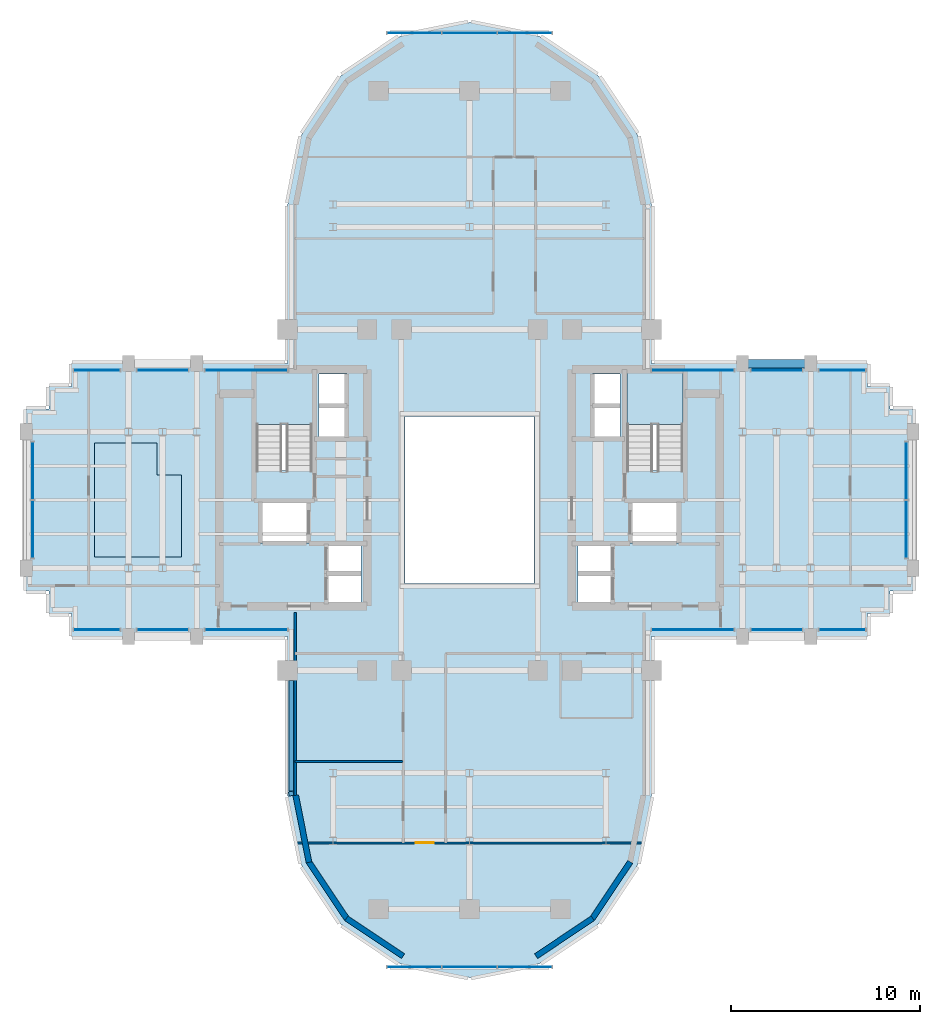
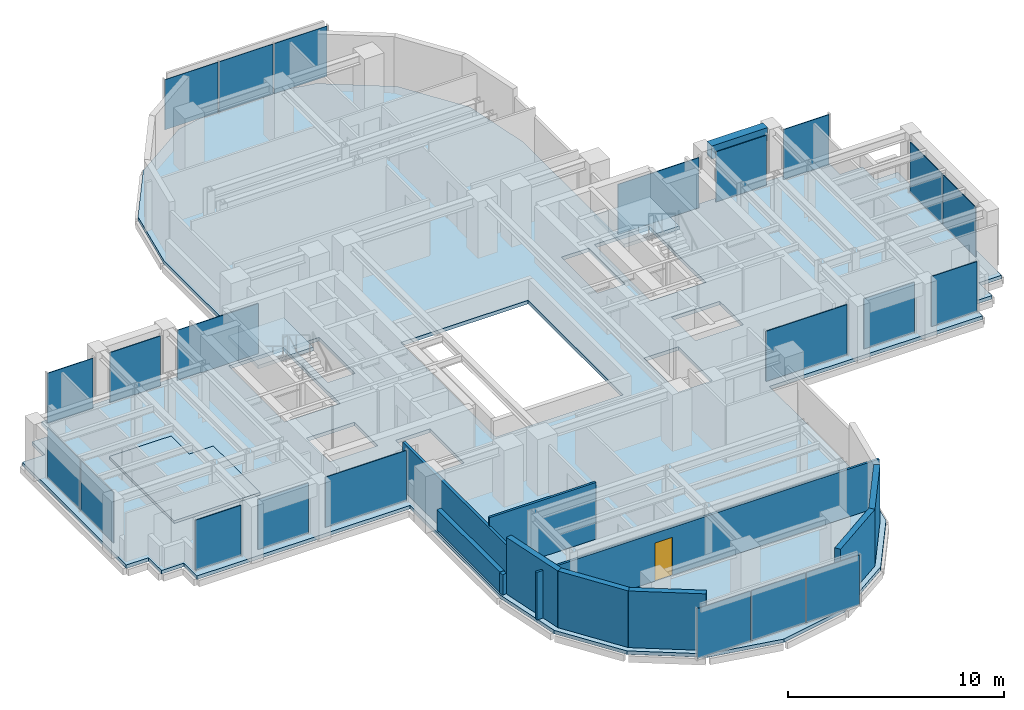
# One storey, part 7 of 14: 22 plates, 10 walls, 4 slabs, 1 beam, 1 door, 1 opening, 18 elements without a shape of their own.
"""IFC4 building model written with IfcOpenShell, lengths in metres."""

import ifcopenshell
import ifcopenshell.guid

model = None  # the IFC model being written
_history = None  # IfcOwnerHistory: only IFC2X3 demands one
_inside = {}  # id of a spatial element -> (the spatial element, [elements in it])
_under = {}  # id of a project, library or spatial element -> (it, [spatial elements below it])
_declared = {}  # id of a project -> (the project, [libraries it declares])
_typed = {}  # id of a type object -> (the type object, [elements of that type])
_made_of = {}  # id of a material, layer set ... -> (it, [elements and type objects made of it])


def new_model(schema):
    """Start an empty IFC model of exactly this schema.

    Asked for "IFC4X3", IfcOpenShell would pick the latest addendum, in which some entities
    have other attributes; the version numbers below select the first issue.
    IFC2X3 requires an IfcOwnerHistory on every rooted entity: one is made here for all.
    """
    global model, _history
    if schema == "IFC4X3":
        model = ifcopenshell.file(schema_version=(4, 3, 0, 0))
    else:
        model = ifcopenshell.file(schema=schema)
    _inside.clear()
    _under.clear()
    _declared.clear()
    _typed.clear()
    _made_of.clear()
    _history = None
    if model.schema == "IFC2X3":
        org = make("IfcOrganization", Name="unknown")
        user = make(
            "IfcPersonAndOrganization",
            ThePerson=make("IfcPerson", FamilyName="unknown"),
            TheOrganization=org,
        )
        app = make(
            "IfcApplication",
            ApplicationDeveloper=org,
            Version="unknown",
            ApplicationFullName="unknown",
            ApplicationIdentifier="unknown",
        )
        _history = make(
            "IfcOwnerHistory",
            OwningUser=user,
            OwningApplication=app,
            ChangeAction="ADDED",
            CreationDate=0,
        )
    return model


def make(cls, **values):
    """One entity of the class cls with the attributes given. An attribute that is None is left unset."""
    return model.create_entity(
        cls, **{name: value for name, value in values.items() if value is not None}
    )


def rooted(cls, **values):
    """An entity with a GlobalId (a new one), such as an element, a storey or a relation."""
    return make(cls, GlobalId=ifcopenshell.guid.new(), OwnerHistory=_history, **values)


def si_unit(unit_type, name, prefix=None):
    """IfcSIUnit, for example si_unit("LENGTHUNIT", "METRE", prefix="MILLI")."""
    return make("IfcSIUnit", UnitType=unit_type, Prefix=prefix, Name=name)


def assignment(units):
    """IfcUnitAssignment: the units of a project."""
    return None if units is None else make("IfcUnitAssignment", Units=units)


def point(xyz):
    """IfcCartesianPoint."""
    return None if xyz is None else make("IfcCartesianPoint", Coordinates=xyz)


def direction(xyz):
    """IfcDirection."""
    return None if xyz is None else make("IfcDirection", DirectionRatios=xyz)


def frame(location, z_axis=None, x_axis=None):
    """IfcAxis2Placement3D, a coordinate frame: its origin and axes. An axis left out is left unset."""
    return make(
        "IfcAxis2Placement3D",
        Location=point(location),
        Axis=direction(z_axis),
        RefDirection=direction(x_axis),
    )


def frame_2d(location, x_axis=None):
    """IfcAxis2Placement2D, a coordinate frame in the plane: its origin and x axis."""
    return make(
        "IfcAxis2Placement2D", Location=point(location), RefDirection=direction(x_axis)
    )


def origin():
    """The frame at (0, 0, 0) with its axes left unset."""
    return frame((0.0, 0.0, 0.0))


def origin_2d():
    """The frame at (0, 0) in the plane with its x axis left unset."""
    return frame_2d((0.0, 0.0))


def place(relative_to, where):
    """IfcLocalPlacement: puts the frame where relative to a parent placement (None: the world)."""
    return make(
        "IfcLocalPlacement", PlacementRelTo=relative_to, RelativePlacement=where
    )


def context(
    kind, dimensions, precision=None, world=None, true_north=None, identifier=None
):
    """IfcGeometricRepresentationContext, for example the 3D "Model" context."""
    return make(
        "IfcGeometricRepresentationContext",
        ContextIdentifier=identifier,
        ContextType=kind,
        CoordinateSpaceDimension=dimensions,
        Precision=precision,
        WorldCoordinateSystem=world,
        TrueNorth=true_north,
    )


def subcontext(parent, identifier, kind, view, scale=None):
    """IfcGeometricRepresentationSubContext, for example "Body" below "Model"."""
    return make(
        "IfcGeometricRepresentationSubContext",
        ContextIdentifier=identifier,
        ContextType=kind,
        ParentContext=parent,
        TargetScale=scale,
        TargetView=view,
    )


def project(units=None, contexts=None):
    """IfcProject with its units and contexts."""
    return rooted(
        "IfcProject",
        Name="project",
        RepresentationContexts=contexts,
        UnitsInContext=assignment(units),
    )


def spatial(cls, under=None, at=None, **own):
    """A site, building, storey or space (cls), placed at a placement, below another one or the project."""
    s = rooted(cls, ObjectPlacement=at, **own)
    if under is not None:
        _under.setdefault(under.id(), (under, []))[1].append(s)
    return s


def polyline(points):
    """IfcPolyline through the points."""
    return make("IfcPolyline", Points=[point(p) for p in points])


def profile(cls, at=None, kind="AREA", **sizes):
    """A parametric profile (cls). Its sizes go by their IFC names, for example OverallWidth=200.0."""
    return make(cls, ProfileType=kind, Position=at, **sizes)


def rectangle(**sizes):
    """IfcRectangleProfileDef."""
    return profile("IfcRectangleProfileDef", **sizes)


def outline(outer, holes=None, kind="AREA"):
    """IfcArbitraryClosedProfileDef: a profile drawn as a closed curve; with holes, ...WithVoids."""
    if holes is None:
        return make("IfcArbitraryClosedProfileDef", ProfileType=kind, OuterCurve=outer)
    return make(
        "IfcArbitraryProfileDefWithVoids",
        ProfileType=kind,
        OuterCurve=outer,
        InnerCurves=holes,
    )


def extrude(swept, where, along, depth):
    """IfcExtrudedAreaSolid: the profile swept, set in the frame where, extruded along a direction by depth."""
    return make(
        "IfcExtrudedAreaSolid",
        SweptArea=swept,
        Position=where,
        ExtrudedDirection=direction(along),
        Depth=depth,
    )


def shape(context_of_items, identifier, shape_type, items):
    """IfcShapeRepresentation: the items that make up one representation, for example the "Body"."""
    return make(
        "IfcShapeRepresentation",
        ContextOfItems=context_of_items,
        RepresentationIdentifier=identifier,
        RepresentationType=shape_type,
        Items=items,
    )


def source(mapping_origin, context_of_items, identifier, shape_type, items):
    """IfcRepresentationMap: a shape defined once, which mapped items show again and again."""
    return make(
        "IfcRepresentationMap",
        MappingOrigin=mapping_origin,
        MappedRepresentation=shape(context_of_items, identifier, shape_type, items),
    )


def transform(
    local_origin,
    x_axis=None,
    y_axis=None,
    z_axis=None,
    scale=None,
    scale2=None,
    scale3=None,
    uniform=True,
):
    """IfcCartesianTransformationOperator3D, or its non-uniform kind. x_axis, y_axis, z_axis: its Axis1, 2, 3."""
    if uniform:
        return make(
            "IfcCartesianTransformationOperator3D",
            Axis1=direction(x_axis),
            Axis2=direction(y_axis),
            LocalOrigin=point(local_origin),
            Scale=scale,
            Axis3=direction(z_axis),
        )
    return make(
        "IfcCartesianTransformationOperator3DnonUniform",
        Axis1=direction(x_axis),
        Axis2=direction(y_axis),
        LocalOrigin=point(local_origin),
        Scale=scale,
        Axis3=direction(z_axis),
        Scale2=scale2,
        Scale3=scale3,
    )


def mapped(mapping_source, mapping_target):
    """IfcMappedItem: shows the shape of a source again, moved by a transform."""
    return make(
        "IfcMappedItem", MappingSource=mapping_source, MappingTarget=mapping_target
    )


def material(Name=None, Category=None):
    """IfcMaterial."""
    return make("IfcMaterial", Name=Name, Category=Category)


def layer(
    of_material, thickness, ventilated=None, Name=None, Category=None, Priority=None
):
    """IfcMaterialLayer: one layer of a wall or slab, of a material (None: an air gap)."""
    return make(
        "IfcMaterialLayer",
        Material=of_material,
        LayerThickness=thickness,
        IsVentilated=ventilated,
        Name=Name,
        Category=Category,
        Priority=Priority,
    )


def layer_set(layers, Name=None):
    """IfcMaterialLayerSet."""
    return make("IfcMaterialLayerSet", MaterialLayers=layers, LayerSetName=Name)


def material_profile(
    of_material, cross_section, Name=None, Category=None, Priority=None
):
    """IfcMaterialProfile: a cross section and its material."""
    return make(
        "IfcMaterialProfile",
        Name=Name,
        Material=of_material,
        Profile=cross_section,
        Priority=Priority,
        Category=Category,
    )


def profile_set(profiles, Name=None, composite=None):
    """IfcMaterialProfileSet."""
    return make(
        "IfcMaterialProfileSet",
        Name=Name,
        MaterialProfiles=profiles,
        CompositeProfile=composite,
    )


def made_of(thing, what):
    """Note that an element or type object is made of a material, layer set ...; save() writes the relation."""
    if what is not None:
        _made_of.setdefault(what.id(), (what, []))[1].append(thing)
    return thing


def type_object(cls, material=None, **own):
    """A type object (cls), such as IfcWallType, which elements share."""
    return made_of(rooted(cls, **own), material)


def element(
    cls,
    number,
    at=None,
    inside=None,
    cuts=None,
    type_object=None,
    material=None,
    context=None,
    identifier="Body",
    shape_type=None,
    held_by="IfcProductDefinitionShape",
    body=None,
    shapes=None,
    **own,
):
    """One element of the class cls, such as IfcWall. Its Tag is "e" and its number.

    at: its placement. inside: the storey or other place that contains it. cuts: it is an
    opening in that element (IfcRelVoidsElement). A single representation is given by context,
    identifier, shape_type and body (its items); several are given by shapes. held_by: the class
    of the entity that holds the representations. save() writes the other relations.
    """
    e = rooted(cls, Tag="e%d" % number, ObjectPlacement=at, **own)
    if body is not None:
        shapes = [shape(context, identifier, shape_type, body)]
    if shapes is not None:
        e.Representation = make(held_by, Representations=shapes)
    if inside is not None:
        _inside.setdefault(inside.id(), (inside, []))[1].append(e)
    if cuts is not None:
        rooted(
            "IfcRelVoidsElement", RelatingBuildingElement=cuts, RelatedOpeningElement=e
        )
    if type_object is not None:
        _typed.setdefault(type_object.id(), (type_object, []))[1].append(e)
    return made_of(e, material)


def fill(opening, filler):
    """IfcRelFillsElement: the door or window that sits in an opening."""
    return rooted(
        "IfcRelFillsElement",
        RelatingOpeningElement=opening,
        RelatedBuildingElement=filler,
    )


def aggregate(whole, parts):
    """IfcRelAggregates: a whole, such as a stair, and the parts it consists of."""
    return rooted("IfcRelAggregates", RelatingObject=whole, RelatedObjects=parts)


def save(model, path):
    """Write the relations noted so far, then the file.

    IfcRelAggregates (storeys below a building ...), IfcRelContainedInSpatialStructure (elements
    in a storey), IfcRelDefinesByType, IfcRelAssociatesMaterial and IfcRelDeclares: one each for
    every whole, place, type object, material and project.
    """
    for whole, parts in _under.values():
        aggregate(whole, parts)
    for where, things in _inside.values():
        rooted(
            "IfcRelContainedInSpatialStructure",
            RelatedElements=things,
            RelatingStructure=where,
        )
    for kind, things in _typed.values():
        rooted("IfcRelDefinesByType", RelatedObjects=things, RelatingType=kind)
    for what, things in _made_of.values():
        rooted("IfcRelAssociatesMaterial", RelatedObjects=things, RelatingMaterial=what)
    for by, libraries in _declared.values():
        rooted("IfcRelDeclares", RelatingContext=by, RelatedDefinitions=libraries)
    model.write(path)


model = new_model("IFC4")

# Units and contexts
model_context = context("Model", 3, precision=1e-05, world=origin(), true_north=direction((0.0, 1.0)))
body_context = subcontext(model_context, "Body", "Model", "MODEL_VIEW")
ifc_project = project(units=[si_unit("LENGTHUNIT", "METRE"), si_unit("AREAUNIT", "SQUARE_METRE"), si_unit("VOLUMEUNIT", "CUBIC_METRE"), si_unit("PLANEANGLEUNIT", "RADIAN"), si_unit("MASSUNIT", "GRAM", prefix="KILO")], contexts=[model_context])

# Site, building, storey
site_placement = place(None, origin())
site = spatial("IfcSite", under=ifc_project, at=site_placement, CompositionType="ELEMENT")
building_placement = place(site_placement, origin())
building = spatial("IfcBuilding", under=site, at=building_placement, Name="Keilestroom Media Tower", CompositionType="ELEMENT")
storey_placement = place(building_placement, frame((0.0, 0.0, 110.800048828125)))
storey = spatial("IfcBuildingStorey", under=building, at=storey_placement, Name="L29", CompositionType="ELEMENT", Elevation=110.800048828125)

# Beam
ifc_material_1 = material(Name="Precast concrete C40/50", Category="concrete")
ifc_material_profile = material_profile(ifc_material_1, rectangle(XDim=0.449951171875, YDim=0.75, at=origin_2d()), Name="PC 450x750")
ifc_profile_set = profile_set([ifc_material_profile], Name="Precast concrete C40/50")
beam_type = type_object("IfcBeamType", Name="Perimeter-Spandrel-Beam-PC-450x750", PredefinedType="SPANDREL", material=ifc_profile_set)
shared_shape_1 = source(origin(), body_context, "Body", "SweptSolid", [
    extrude(rectangle(XDim=0.449951171875, YDim=0.75, at=origin_2d()), origin(), (0.0, 0.0, 1.0), 2.989990234375),
])
beam_placement = place(storey_placement, frame((14.705078125, 7.199951171875, 2.824951171875), z_axis=(1.0, 0.0, 0.0), x_axis=(0.0, 1.0, 0.0)))
element("IfcBeam", 1, at=beam_placement, inside=storey, type_object=beam_type, Name="L29 Beam SPB-1 BM-L29-EW-027", PredefinedType="SPANDREL", context=body_context, shape_type="MappedRepresentation", body=[
    mapped(shared_shape_1, transform((0.0, 0.0, 0.0), x_axis=(1.0, 0.0, 0.0), y_axis=(0.0, 1.0, 0.0), z_axis=(0.0, 0.0, 1.0), scale=1.0)),
])

# Slabs
ifc_material_2 = material(Name="Concrete C50/60", Category="concrete")
ifc_layer_1 = layer(ifc_material_2, 0.199951171875)
ifc_layer_set_1 = layer_set([ifc_layer_1], Name="Concrete C50/60")
slab_type_1 = type_object("IfcSlabType", Name="Composite-Floor-Slab-200", PredefinedType="FLOOR", material=ifc_layer_set_1)
slab_1_placement = place(storey_placement, frame((0.0, 0.0, -0.199951171875)))
element("IfcSlab", 2, at=slab_1_placement, inside=storey, type_object=slab_type_1, Name="L29 Structural Composite Floor Slab", PredefinedType="FLOOR", context=body_context, shape_type="SweptSolid", body=[
    extrude(outline(polyline([(23.39990234375, -4.800048828125), (23.39990234375, 4.800048828125), (22.199951171875, 4.800048828125), (22.199951171875, 6.0), (21.0, 6.0), (21.0, 7.199951171875), (9.60009765625, 7.199951171875), (9.60009765625, 9.60009765625), (9.60009765625, 15.60009765625), (8.869140625, 19.273681640625), (6.7880859375, 22.38818359375), (3.673828125, 24.46923828125), (0.0, 25.199951171875), (-3.673828125, 24.46923828125), (-6.7880859375, 22.38818359375), (-8.869140625, 19.273681640625), (-9.60009765625, 15.60009765625), (-9.60009765625, 9.60009765625), (-9.60009765625, 7.199951171875), (-21.0, 7.199951171875), (-21.0, 6.0), (-22.199951171875, 6.0), (-22.199951171875, 4.800048828125), (-23.39990234375, 4.800048828125), (-23.39990234375, -4.800048828125), (-22.199951171875, -4.800048828125), (-22.199951171875, -6.0), (-21.0, -6.0), (-21.0, -7.199951171875), (-9.60009765625, -7.199951171875), (-9.60009765625, -9.60009765625), (-9.60009765625, -15.60009765625), (-8.869140625, -19.273681640625), (-6.7880859375, -22.38818359375), (-3.673828125, -24.46923828125), (0.0, -25.199951171875), (3.673828125, -24.46923828125), (6.7880859375, -22.38818359375), (8.869140625, -19.273681640625), (9.60009765625, -15.60009765625), (9.60009765625, -9.60009765625), (9.60009765625, -7.199951171875), (21.0, -7.199951171875), (21.0, -6.0), (22.199951171875, -6.0), (22.199951171875, -4.800048828125), (23.39990234375, -4.800048828125)]), holes=[polyline([(-11.260009765625, 1.544921875), (-11.260009765625, 6.760009765625), (-8.300048828125, 6.760009765625), (-8.300048828125, 1.544921875), (-11.260009765625, 1.544921875)]), polyline([(-11.050048828125, -2.280029296875), (-11.050048828125, -0.10009765625), (-8.47998046875, -0.10009765625), (-8.47998046875, -2.280029296875), (-11.050048828125, -2.280029296875)]), polyline([(-7.949951171875, 3.300048828125), (-7.949951171875, 6.64990234375), (-6.47998046875, 6.64990234375), (-6.47998046875, 3.300048828125), (-7.949951171875, 3.300048828125)]), polyline([(-7.56005859375, -2.320068359375), (-5.719970703125, -2.320068359375), (-5.719970703125, -5.47998046875), (-7.56005859375, -5.47998046875), (-7.56005859375, -2.320068359375)]), polyline([(3.39990234375, -4.39990234375), (-3.39990234375, -4.39990234375), (-3.39990234375, 4.39990234375), (3.39990234375, 4.39990234375), (3.39990234375, -4.39990234375)]), polyline([(7.56005859375, -2.320068359375), (7.56005859375, -5.47998046875), (5.719970703125, -5.47998046875), (5.719970703125, -2.320068359375), (7.56005859375, -2.320068359375)]), polyline([(6.47998046875, 3.300048828125), (6.47998046875, 6.64990234375), (7.949951171875, 6.64990234375), (7.949951171875, 3.300048828125), (6.47998046875, 3.300048828125)]), polyline([(8.300048828125, 1.544921875), (8.300048828125, 6.760009765625), (11.260009765625, 6.760009765625), (11.260009765625, 1.544921875), (8.300048828125, 1.544921875)]), polyline([(8.47998046875, -2.280029296875), (8.47998046875, -0.10009765625), (11.050048828125, -0.10009765625), (11.050048828125, -2.280029296875), (8.47998046875, -2.280029296875)])]), origin(), (0.0, 0.0, 1.0), 0.199951171875),
])
ifc_material_3 = material(Name="Concrete C45/55", Category="concrete")
ifc_layer_2 = layer(ifc_material_3, 0.14990234375)
ifc_layer_set_2 = layer_set([ifc_layer_2], Name="Concrete C45/55")
slab_type_2 = type_object("IfcSlabType", Name="Floating-Studio-Floor-Slab-150", PredefinedType="FLOOR", material=ifc_layer_set_2)
slab_2_placement = place(storey_placement, origin())
element("IfcSlab", 3, at=slab_2_placement, inside=storey, type_object=slab_type_2, Name="L29 Acoustic Floating Studio Slab ST-INT-Z2", PredefinedType="FLOOR", context=body_context, shape_type="SweptSolid", body=[
    extrude(outline(polyline([(-19.800048828125, -3.0), (-15.199951171875, -3.0), (-15.199951171875, 1.320068359375), (-16.488037109375, 1.320068359375), (-16.488037109375, 3.0), (-19.800048828125, 3.0), (-19.800048828125, -3.0)])), origin(), (0.0, 0.0, 1.0), 0.14990234375),
])

# Stair, slab
stair_type = type_object("IfcStairType", Name="Enclosed-Dog-Leg-Stair-ST-CORE", PredefinedType="HALF_TURN_STAIR", material=ifc_material_3)
stair_1_placement = place(storey_placement, origin())
stair_1 = element("IfcStair", 4, at=stair_1_placement, inside=storey, type_object=stair_type, Name="L29 West Core Escape Stair ST-1", PredefinedType="HALF_TURN_STAIR")
ifc_layer_3 = layer(ifc_material_3, 0.199951171875)
ifc_layer_set_3 = layer_set([ifc_layer_3], Name="Concrete C45/55")
slab_type_3 = type_object("IfcSlabType", Name="Stair-Intermediate-And-Top-Landing-Slab-200", PredefinedType="LANDING", material=ifc_layer_set_3)
slab_3_placement = place(storey_placement, frame((0.0, 0.0, 1.5)))
slab_3 = element("IfcSlab", 5, at=slab_3_placement, type_object=slab_type_3, Name="ST-1 landing 1", PredefinedType="LANDING", context=body_context, shape_type="SweptSolid", body=[
    extrude(outline(polyline([(-8.300048828125, 3.99609375), (-8.300048828125, 6.760009765625), (-11.260009765625, 6.760009765625), (-11.260009765625, 3.99609375), (-8.300048828125, 3.99609375)])), origin(), (0.0, 0.0, 1.0), 0.199951171875),
])
aggregate(stair_1, [slab_3])

stair_2_placement = place(storey_placement, origin())
stair_2 = element("IfcStair", 6, at=stair_2_placement, inside=storey, type_object=stair_type, Name="L29 East Core Escape Stair ST-2", PredefinedType="HALF_TURN_STAIR")
slab_4_placement = place(storey_placement, frame((0.0, 0.0, 1.5)))
slab_4 = element("IfcSlab", 7, at=slab_4_placement, type_object=slab_type_3, Name="ST-2 landing 1", PredefinedType="LANDING", context=body_context, shape_type="SweptSolid", body=[
    extrude(outline(polyline([(11.260009765625, 3.99609375), (11.260009765625, 6.760009765625), (8.300048828125, 6.760009765625), (8.300048828125, 3.99609375), (11.260009765625, 3.99609375)])), origin(), (0.0, 0.0, 1.0), 0.199951171875),
])
aggregate(stair_2, [slab_4])

# Curtain wall, plates
ifc_material_4 = material(Name="Anodised Aluminium Alloy", Category="aluminium")
curtain_wall_type_1 = type_object("IfcCurtainWallType", Name="Unitised-Curtain-Wall-CW-6", PredefinedType="NOTDEFINED", material=ifc_material_4)
curtain_wall_1_placement = place(storey_placement, origin())
curtain_wall_1 = element("IfcCurtainWall", 8, at=curtain_wall_1_placement, inside=storey, type_object=curtain_wall_type_1, Name="L29 Curtain Wall CW-6 CW-L29-LN-1", PredefinedType="NOTDEFINED")
ifc_material_5 = material(Name="Curved-Facet Triple Glazed Unit", Category="glass")
ifc_layer_4 = layer(ifc_material_5, 0.033935546875)
ifc_layer_set_4 = layer_set([ifc_layer_4], Name="Curved-Facet Triple Glazed Unit")
plate_type_1 = type_object("IfcPlateType", Name="Insulated-Curtain-Wall-Glazing-Panel-CW-6", PredefinedType="CURTAIN_PANEL", material=ifc_layer_set_4)
shared_shape_2 = source(origin(), body_context, "Body", "SweptSolid", [
    extrude(rectangle(XDim=2.84375, YDim=0.033935546875, at=origin_2d()), origin(), (0.0, 0.0, 1.0), 2.833984375),
])
plate_1_placement = place(storey_placement, frame((-2.9169921875, 24.64990234375, 0.072998046875), z_axis=(0.0, 0.0, 1.0), x_axis=(1.0, 0.0, 0.0)))
plate_1 = element("IfcPlate", 9, at=plate_1_placement, type_object=plate_type_1, Name="CW-6 Unitised Glazing 00", PredefinedType="CURTAIN_PANEL", context=body_context, shape_type="MappedRepresentation", body=[
    mapped(shared_shape_2, transform((0.0, 0.0, 0.0), x_axis=(1.0, 0.0, 0.0), y_axis=(0.0, 1.0, 0.0), z_axis=(0.0, 0.0, 1.0), scale=1.0)),
])
plate_2_placement = place(storey_placement, frame((2.9169921875, 24.64990234375, 0.072998046875), z_axis=(0.0, 0.0, 1.0), x_axis=(1.0, 0.0, 0.0)))
plate_2 = element("IfcPlate", 10, at=plate_2_placement, type_object=plate_type_1, Name="CW-6 Unitised Glazing 02", PredefinedType="CURTAIN_PANEL", context=body_context, shape_type="MappedRepresentation", body=[
    mapped(shared_shape_2, transform((0.0, 0.0, 0.0), x_axis=(1.0, 0.0, 0.0), y_axis=(0.0, 1.0, 0.0), z_axis=(0.0, 0.0, 1.0), scale=1.0)),
])

curtain_wall_2_placement = place(storey_placement, origin())
curtain_wall_2 = element("IfcCurtainWall", 11, at=curtain_wall_2_placement, inside=storey, type_object=curtain_wall_type_1, Name="L29 Curtain Wall CW-6 CW-L29-LS-1", PredefinedType="NOTDEFINED")
plate_3_placement = place(storey_placement, frame((-2.9169921875, -24.64990234375, 0.072998046875), z_axis=(0.0, 0.0, 1.0), x_axis=(1.0, 0.0, 0.0)))
plate_3 = element("IfcPlate", 12, at=plate_3_placement, type_object=plate_type_1, Name="CW-6 Unitised Glazing 00", PredefinedType="CURTAIN_PANEL", context=body_context, shape_type="MappedRepresentation", body=[
    mapped(shared_shape_2, transform((0.0, 0.0, 0.0), x_axis=(1.0, 0.0, 0.0), y_axis=(0.0, 1.0, 0.0), z_axis=(0.0, 0.0, 1.0), scale=1.0)),
])
plate_4_placement = place(storey_placement, frame((2.9169921875, -24.64990234375, 0.072998046875), z_axis=(0.0, 0.0, 1.0), x_axis=(1.0, 0.0, 0.0)))
plate_4 = element("IfcPlate", 13, at=plate_4_placement, type_object=plate_type_1, Name="CW-6 Unitised Glazing 02", PredefinedType="CURTAIN_PANEL", context=body_context, shape_type="MappedRepresentation", body=[
    mapped(shared_shape_2, transform((0.0, 0.0, 0.0), x_axis=(1.0, 0.0, 0.0), y_axis=(0.0, 1.0, 0.0), z_axis=(0.0, 0.0, 1.0), scale=1.0)),
])

# Plate
shared_shape_3 = source(origin(), body_context, "Body", "SweptSolid", [
    extrude(rectangle(XDim=2.876220703125, YDim=0.033935546875, at=origin_2d()), origin(), (0.0, 0.0, 1.0), 2.833984375),
])
plate_5_placement = place(storey_placement, frame((0.0, 24.64990234375, 0.072998046875), z_axis=(0.0, 0.0, 1.0), x_axis=(1.0, 0.0, 0.0)))
plate_5 = element("IfcPlate", 14, at=plate_5_placement, type_object=plate_type_1, Name="CW-6 Unitised Glazing 01", PredefinedType="CURTAIN_PANEL", context=body_context, shape_type="MappedRepresentation", body=[
    mapped(shared_shape_3, transform((0.0, 0.0, 0.0), x_axis=(1.0, 0.0, 0.0), y_axis=(0.0, 1.0, 0.0), z_axis=(0.0, 0.0, 1.0), scale=1.0)),
])

aggregate(curtain_wall_1, [plate_1, plate_5, plate_2])

plate_6_placement = place(storey_placement, frame((0.0, -24.64990234375, 0.072998046875), z_axis=(0.0, 0.0, 1.0), x_axis=(1.0, 0.0, 0.0)))
plate_6 = element("IfcPlate", 15, at=plate_6_placement, type_object=plate_type_1, Name="CW-6 Unitised Glazing 01", PredefinedType="CURTAIN_PANEL", context=body_context, shape_type="MappedRepresentation", body=[
    mapped(shared_shape_3, transform((0.0, 0.0, 0.0), x_axis=(1.0, 0.0, 0.0), y_axis=(0.0, 1.0, 0.0), z_axis=(0.0, 0.0, 1.0), scale=1.0)),
])

aggregate(curtain_wall_2, [plate_3, plate_6, plate_4])

# Curtain wall, plate
curtain_wall_type_2 = type_object("IfcCurtainWallType", Name="Unitised-Curtain-Wall-CW-2", PredefinedType="NOTDEFINED", material=ifc_material_4)
curtain_wall_3_placement = place(storey_placement, origin())
curtain_wall_3 = element("IfcCurtainWall", 16, at=curtain_wall_3_placement, inside=storey, type_object=curtain_wall_type_2, Name="L29 Curtain Wall CW-2 CW-L29-NW-1", PredefinedType="NOTDEFINED")
ifc_material_6 = material(Name="Double Glazed Low-E Unit", Category="glass")
ifc_layer_5 = layer(ifc_material_6, 0.0419921875)
ifc_layer_set_5 = layer_set([ifc_layer_5], Name="Double Glazed Low-E Unit")
plate_type_2 = type_object("IfcPlateType", Name="Insulated-Curtain-Wall-Glazing-Panel-CW-2", PredefinedType="CURTAIN_PANEL", material=ifc_layer_set_5)
shared_shape_4 = source(origin(), body_context, "Body", "SweptSolid", [
    extrude(rectangle(XDim=2.43310546875, YDim=0.0419921875, at=origin_2d()), origin(), (0.0, 0.0, 1.0), 2.833984375),
])
plate_7_placement = place(storey_placement, frame((-19.66748046875, 6.85009765625, 0.072998046875), z_axis=(0.0, 0.0, 1.0), x_axis=(1.0, 0.0, 0.0)))
plate_7 = element("IfcPlate", 17, at=plate_7_placement, type_object=plate_type_2, Name="CW-2 Unitised Glazing 00", PredefinedType="CURTAIN_PANEL", context=body_context, shape_type="MappedRepresentation", body=[
    mapped(shared_shape_4, transform((0.0, 0.0, 0.0), x_axis=(1.0, 0.0, 0.0), y_axis=(0.0, 1.0, 0.0), z_axis=(0.0, 0.0, 1.0), scale=1.0)),
])
aggregate(curtain_wall_3, [plate_7])

curtain_wall_4_placement = place(storey_placement, origin())
curtain_wall_4 = element("IfcCurtainWall", 18, at=curtain_wall_4_placement, inside=storey, type_object=curtain_wall_type_2, Name="L29 Curtain Wall CW-2 CW-L29-NE-3", PredefinedType="NOTDEFINED")
plate_8_placement = place(storey_placement, frame((19.66748046875, 6.85009765625, 0.072998046875), z_axis=(0.0, 0.0, 1.0), x_axis=(1.0, 0.0, 0.0)))
plate_8 = element("IfcPlate", 19, at=plate_8_placement, type_object=plate_type_2, Name="CW-2 Unitised Glazing 00", PredefinedType="CURTAIN_PANEL", context=body_context, shape_type="MappedRepresentation", body=[
    mapped(shared_shape_4, transform((0.0, 0.0, 0.0), x_axis=(1.0, 0.0, 0.0), y_axis=(0.0, 1.0, 0.0), z_axis=(0.0, 0.0, 1.0), scale=1.0)),
])
aggregate(curtain_wall_4, [plate_8])

curtain_wall_5_placement = place(storey_placement, origin())
curtain_wall_5 = element("IfcCurtainWall", 20, at=curtain_wall_5_placement, inside=storey, type_object=curtain_wall_type_2, Name="L29 Curtain Wall CW-2 CW-L29-SW-1", PredefinedType="NOTDEFINED")
plate_9_placement = place(storey_placement, frame((-19.66748046875, -6.85009765625, 0.072998046875), z_axis=(0.0, 0.0, 1.0), x_axis=(1.0, 0.0, 0.0)))
plate_9 = element("IfcPlate", 21, at=plate_9_placement, type_object=plate_type_2, Name="CW-2 Unitised Glazing 00", PredefinedType="CURTAIN_PANEL", context=body_context, shape_type="MappedRepresentation", body=[
    mapped(shared_shape_4, transform((0.0, 0.0, 0.0), x_axis=(1.0, 0.0, 0.0), y_axis=(0.0, 1.0, 0.0), z_axis=(0.0, 0.0, 1.0), scale=1.0)),
])
aggregate(curtain_wall_5, [plate_9])

curtain_wall_6_placement = place(storey_placement, origin())
curtain_wall_6 = element("IfcCurtainWall", 22, at=curtain_wall_6_placement, inside=storey, type_object=curtain_wall_type_2, Name="L29 Curtain Wall CW-2 CW-L29-SE-3", PredefinedType="NOTDEFINED")
plate_10_placement = place(storey_placement, frame((19.66748046875, -6.85009765625, 0.072998046875), z_axis=(0.0, 0.0, 1.0), x_axis=(1.0, 0.0, 0.0)))
plate_10 = element("IfcPlate", 23, at=plate_10_placement, type_object=plate_type_2, Name="CW-2 Unitised Glazing 00", PredefinedType="CURTAIN_PANEL", context=body_context, shape_type="MappedRepresentation", body=[
    mapped(shared_shape_4, transform((0.0, 0.0, 0.0), x_axis=(1.0, 0.0, 0.0), y_axis=(0.0, 1.0, 0.0), z_axis=(0.0, 0.0, 1.0), scale=1.0)),
])
aggregate(curtain_wall_6, [plate_10])

curtain_wall_7_placement = place(storey_placement, origin())
curtain_wall_7 = element("IfcCurtainWall", 24, at=curtain_wall_7_placement, inside=storey, type_object=curtain_wall_type_2, Name="L29 Curtain Wall CW-2 CW-L29-NW-2", PredefinedType="NOTDEFINED")
shared_shape_5 = source(origin(), body_context, "Body", "SweptSolid", [
    extrude(rectangle(XDim=2.697998046875, YDim=0.0419921875, at=origin_2d()), origin(), (0.0, 0.0, 1.0), 2.833984375),
])
plate_11_placement = place(storey_placement, frame((-16.199951171875, 6.85009765625, 0.072998046875), z_axis=(0.0, 0.0, 1.0), x_axis=(1.0, 0.0, 0.0)))
plate_11 = element("IfcPlate", 25, at=plate_11_placement, type_object=plate_type_2, Name="CW-2 Unitised Glazing 00", PredefinedType="CURTAIN_PANEL", context=body_context, shape_type="MappedRepresentation", body=[
    mapped(shared_shape_5, transform((0.0, 0.0, 0.0), x_axis=(1.0, 0.0, 0.0), y_axis=(0.0, 1.0, 0.0), z_axis=(0.0, 0.0, 1.0), scale=1.0)),
])
aggregate(curtain_wall_7, [plate_11])

curtain_wall_8_placement = place(storey_placement, origin())
curtain_wall_8 = element("IfcCurtainWall", 26, at=curtain_wall_8_placement, inside=storey, type_object=curtain_wall_type_2, Name="L29 Curtain Wall CW-2 CW-L29-NE-2", PredefinedType="NOTDEFINED")
plate_12_placement = place(storey_placement, frame((16.199951171875, 6.85009765625, 0.072998046875), z_axis=(0.0, 0.0, 1.0), x_axis=(1.0, 0.0, 0.0)))
plate_12 = element("IfcPlate", 27, at=plate_12_placement, type_object=plate_type_2, Name="CW-2 Unitised Glazing 00", PredefinedType="CURTAIN_PANEL", context=body_context, shape_type="MappedRepresentation", body=[
    mapped(shared_shape_5, transform((0.0, 0.0, 0.0), x_axis=(1.0, 0.0, 0.0), y_axis=(0.0, 1.0, 0.0), z_axis=(0.0, 0.0, 1.0), scale=1.0)),
])
aggregate(curtain_wall_8, [plate_12])

curtain_wall_9_placement = place(storey_placement, origin())
curtain_wall_9 = element("IfcCurtainWall", 28, at=curtain_wall_9_placement, inside=storey, type_object=curtain_wall_type_2, Name="L29 Curtain Wall CW-2 CW-L29-SW-2", PredefinedType="NOTDEFINED")
plate_13_placement = place(storey_placement, frame((-16.199951171875, -6.85009765625, 0.072998046875), z_axis=(0.0, 0.0, 1.0), x_axis=(1.0, 0.0, 0.0)))
plate_13 = element("IfcPlate", 29, at=plate_13_placement, type_object=plate_type_2, Name="CW-2 Unitised Glazing 00", PredefinedType="CURTAIN_PANEL", context=body_context, shape_type="MappedRepresentation", body=[
    mapped(shared_shape_5, transform((0.0, 0.0, 0.0), x_axis=(1.0, 0.0, 0.0), y_axis=(0.0, 1.0, 0.0), z_axis=(0.0, 0.0, 1.0), scale=1.0)),
])
aggregate(curtain_wall_9, [plate_13])

curtain_wall_10_placement = place(storey_placement, origin())
curtain_wall_10 = element("IfcCurtainWall", 30, at=curtain_wall_10_placement, inside=storey, type_object=curtain_wall_type_2, Name="L29 Curtain Wall CW-2 CW-L29-SE-2", PredefinedType="NOTDEFINED")
plate_14_placement = place(storey_placement, frame((16.199951171875, -6.85009765625, 0.072998046875), z_axis=(0.0, 0.0, 1.0), x_axis=(1.0, 0.0, 0.0)))
plate_14 = element("IfcPlate", 31, at=plate_14_placement, type_object=plate_type_2, Name="CW-2 Unitised Glazing 00", PredefinedType="CURTAIN_PANEL", context=body_context, shape_type="MappedRepresentation", body=[
    mapped(shared_shape_5, transform((0.0, 0.0, 0.0), x_axis=(1.0, 0.0, 0.0), y_axis=(0.0, 1.0, 0.0), z_axis=(0.0, 0.0, 1.0), scale=1.0)),
])
aggregate(curtain_wall_10, [plate_14])

curtain_wall_11_placement = place(storey_placement, origin())
curtain_wall_11 = element("IfcCurtainWall", 32, at=curtain_wall_11_placement, inside=storey, type_object=curtain_wall_type_2, Name="L29 Curtain Wall CW-2 CW-L29-NW-3", PredefinedType="NOTDEFINED")
shared_shape_6 = source(origin(), body_context, "Body", "SweptSolid", [
    extrude(rectangle(XDim=4.3330078125, YDim=0.0419921875, at=origin_2d()), origin(), (0.0, 0.0, 1.0), 2.833984375),
])
plate_15_placement = place(storey_placement, frame((-11.782470703125, 6.85009765625, 0.072998046875), z_axis=(0.0, 0.0, 1.0), x_axis=(1.0, 0.0, 0.0)))
plate_15 = element("IfcPlate", 33, at=plate_15_placement, type_object=plate_type_2, Name="CW-2 Unitised Glazing 00", PredefinedType="CURTAIN_PANEL", context=body_context, shape_type="MappedRepresentation", body=[
    mapped(shared_shape_6, transform((0.0, 0.0, 0.0), x_axis=(1.0, 0.0, 0.0), y_axis=(0.0, 1.0, 0.0), z_axis=(0.0, 0.0, 1.0), scale=1.0)),
])
aggregate(curtain_wall_11, [plate_15])

curtain_wall_12_placement = place(storey_placement, origin())
curtain_wall_12 = element("IfcCurtainWall", 34, at=curtain_wall_12_placement, inside=storey, type_object=curtain_wall_type_2, Name="L29 Curtain Wall CW-2 CW-L29-NE-1", PredefinedType="NOTDEFINED")
plate_16_placement = place(storey_placement, frame((11.782470703125, 6.85009765625, 0.072998046875), z_axis=(0.0, 0.0, 1.0), x_axis=(1.0, 0.0, 0.0)))
plate_16 = element("IfcPlate", 35, at=plate_16_placement, type_object=plate_type_2, Name="CW-2 Unitised Glazing 00", PredefinedType="CURTAIN_PANEL", context=body_context, shape_type="MappedRepresentation", body=[
    mapped(shared_shape_6, transform((0.0, 0.0, 0.0), x_axis=(1.0, 0.0, 0.0), y_axis=(0.0, 1.0, 0.0), z_axis=(0.0, 0.0, 1.0), scale=1.0)),
])
aggregate(curtain_wall_12, [plate_16])

curtain_wall_13_placement = place(storey_placement, origin())
curtain_wall_13 = element("IfcCurtainWall", 36, at=curtain_wall_13_placement, inside=storey, type_object=curtain_wall_type_2, Name="L29 Curtain Wall CW-2 CW-L29-SW-3", PredefinedType="NOTDEFINED")
plate_17_placement = place(storey_placement, frame((-11.782470703125, -6.85009765625, 0.072998046875), z_axis=(0.0, 0.0, 1.0), x_axis=(1.0, 0.0, 0.0)))
plate_17 = element("IfcPlate", 37, at=plate_17_placement, type_object=plate_type_2, Name="CW-2 Unitised Glazing 00", PredefinedType="CURTAIN_PANEL", context=body_context, shape_type="MappedRepresentation", body=[
    mapped(shared_shape_6, transform((0.0, 0.0, 0.0), x_axis=(1.0, 0.0, 0.0), y_axis=(0.0, 1.0, 0.0), z_axis=(0.0, 0.0, 1.0), scale=1.0)),
])
aggregate(curtain_wall_13, [plate_17])

curtain_wall_14_placement = place(storey_placement, origin())
curtain_wall_14 = element("IfcCurtainWall", 38, at=curtain_wall_14_placement, inside=storey, type_object=curtain_wall_type_2, Name="L29 Curtain Wall CW-2 CW-L29-SE-1", PredefinedType="NOTDEFINED")
plate_18_placement = place(storey_placement, frame((11.782470703125, -6.85009765625, 0.072998046875), z_axis=(0.0, 0.0, 1.0), x_axis=(1.0, 0.0, 0.0)))
plate_18 = element("IfcPlate", 39, at=plate_18_placement, type_object=plate_type_2, Name="CW-2 Unitised Glazing 00", PredefinedType="CURTAIN_PANEL", context=body_context, shape_type="MappedRepresentation", body=[
    mapped(shared_shape_6, transform((0.0, 0.0, 0.0), x_axis=(1.0, 0.0, 0.0), y_axis=(0.0, 1.0, 0.0), z_axis=(0.0, 0.0, 1.0), scale=1.0)),
])
aggregate(curtain_wall_14, [plate_18])

# Curtain wall, plates
curtain_wall_15_placement = place(storey_placement, origin())
curtain_wall_15 = element("IfcCurtainWall", 40, at=curtain_wall_15_placement, inside=storey, type_object=curtain_wall_type_2, Name="L29 Curtain Wall CW-2 CW-L29-W-1", PredefinedType="NOTDEFINED")
shared_shape_7 = source(origin(), body_context, "Body", "SweptSolid", [
    extrude(rectangle(XDim=3.01806640625, YDim=0.0419921875, at=origin_2d()), origin(), (0.0, 0.0, 1.0), 2.833984375),
])
plate_19_placement = place(storey_placement, frame((-23.050048828125, -1.5400390625, 0.072998046875), z_axis=(0.0, 0.0, 1.0), x_axis=(0.0, 1.0, 0.0)))
plate_19 = element("IfcPlate", 41, at=plate_19_placement, type_object=plate_type_2, Name="CW-2 Unitised Glazing 00", PredefinedType="CURTAIN_PANEL", context=body_context, shape_type="MappedRepresentation", body=[
    mapped(shared_shape_7, transform((0.0, 0.0, 0.0), x_axis=(1.0, 0.0, 0.0), y_axis=(0.0, 1.0, 0.0), z_axis=(0.0, 0.0, 1.0), scale=1.0)),
])
plate_20_placement = place(storey_placement, frame((-23.050048828125, 1.5400390625, 0.072998046875), z_axis=(0.0, 0.0, 1.0), x_axis=(0.0, 1.0, 0.0)))
plate_20 = element("IfcPlate", 42, at=plate_20_placement, type_object=plate_type_2, Name="CW-2 Unitised Glazing 01", PredefinedType="CURTAIN_PANEL", context=body_context, shape_type="MappedRepresentation", body=[
    mapped(shared_shape_7, transform((0.0, 0.0, 0.0), x_axis=(1.0, 0.0, 0.0), y_axis=(0.0, 1.0, 0.0), z_axis=(0.0, 0.0, 1.0), scale=1.0)),
])
aggregate(curtain_wall_15, [plate_19, plate_20])

curtain_wall_16_placement = place(storey_placement, origin())
curtain_wall_16 = element("IfcCurtainWall", 43, at=curtain_wall_16_placement, inside=storey, type_object=curtain_wall_type_2, Name="L29 Curtain Wall CW-2 CW-L29-E-1", PredefinedType="NOTDEFINED")
plate_21_placement = place(storey_placement, frame((23.050048828125, -1.5400390625, 0.072998046875), z_axis=(0.0, 0.0, 1.0), x_axis=(0.0, 1.0, 0.0)))
plate_21 = element("IfcPlate", 44, at=plate_21_placement, type_object=plate_type_2, Name="CW-2 Unitised Glazing 00", PredefinedType="CURTAIN_PANEL", context=body_context, shape_type="MappedRepresentation", body=[
    mapped(shared_shape_7, transform((0.0, 0.0, 0.0), x_axis=(1.0, 0.0, 0.0), y_axis=(0.0, 1.0, 0.0), z_axis=(0.0, 0.0, 1.0), scale=1.0)),
])
plate_22_placement = place(storey_placement, frame((23.050048828125, 1.5400390625, 0.072998046875), z_axis=(0.0, 0.0, 1.0), x_axis=(0.0, 1.0, 0.0)))
plate_22 = element("IfcPlate", 45, at=plate_22_placement, type_object=plate_type_2, Name="CW-2 Unitised Glazing 01", PredefinedType="CURTAIN_PANEL", context=body_context, shape_type="MappedRepresentation", body=[
    mapped(shared_shape_7, transform((0.0, 0.0, 0.0), x_axis=(1.0, 0.0, 0.0), y_axis=(0.0, 1.0, 0.0), z_axis=(0.0, 0.0, 1.0), scale=1.0)),
])
aggregate(curtain_wall_16, [plate_21, plate_22])

# Walls
ifc_layer_6 = layer(ifc_material_1, 0.300048828125)
ifc_layer_set_6 = layer_set([ifc_layer_6], Name="Precast concrete C40/50")
wall_type_1 = type_object("IfcWallType", Name="Exterior-Masonry-Spandrel-Wall-300", PredefinedType="SOLIDWALL", material=ifc_layer_set_6)
for number, where, z_axis, x_axis, name in (
    (46, (-9.1748046875, -15.585205078125, 0.0), (0.0, 0.0, 1.0), (0.195114232679, -0.980780523974, 0.0), "L29 Lobe Facet Precast Frame Wall 07"),
    (47, (-8.48193359375, -19.097412109375, 0.0), (0.0, 0.0, 1.0), (0.555574187116, -0.831466970246, 0.0), "L29 Lobe Facet Precast Frame Wall 08"),
):
    element("IfcWall", number, at=place(storey_placement, frame(where, z_axis=z_axis, x_axis=x_axis)), inside=storey, type_object=wall_type_1, Name=name, PredefinedType="SOLIDWALL", context=body_context, shape_type="SweptSolid", body=[
        extrude(rectangle(XDim=3.608642578125, YDim=0.300048828125, at=frame_2d((1.80419921875, 0.0))), origin(), (0.0, 0.0, 1.0), 3.199951171875),
    ])
for number, where, z_axis, x_axis, name in (
    (48, (-6.497802734375, -22.0771484375, 0.0), (0.0, 0.0, 1.0), (0.8314749531, -0.555562239868, 0.0), "L29 Lobe Facet Precast Frame Wall 09"),
    (49, (3.510009765625, -24.073486328125, 0.0), (0.0, 0.0, 1.0), (0.8314749531, 0.555562239868, 0.0), "L29 Lobe Facet Precast Frame Wall 10"),
):
    element("IfcWall", number, at=place(storey_placement, frame(where, z_axis=z_axis, x_axis=x_axis)), inside=storey, type_object=wall_type_1, Name=name, PredefinedType="SOLIDWALL", context=body_context, shape_type="SweptSolid", body=[
        extrude(rectangle(XDim=3.59326171875, YDim=0.300048828125, at=frame_2d((1.796630859375, 0.0))), origin(), (0.0, 0.0, 1.0), 3.199951171875),
    ])
wall_1_placement = place(storey_placement, frame((6.47705078125, -22.097900390625, 0.0), z_axis=(0.0, 0.0, 1.0), x_axis=(0.555574187116, 0.831466970246, 0.0)))
element("IfcWall", 50, at=wall_1_placement, inside=storey, type_object=wall_type_1, Name="L29 Lobe Facet Precast Frame Wall 11", PredefinedType="SOLIDWALL", context=body_context, shape_type="SweptSolid", body=[
    extrude(rectangle(XDim=3.608642578125, YDim=0.300048828125, at=frame_2d((1.80419921875, 0.0))), origin(), (0.0, 0.0, 1.0), 3.199951171875),
])

# Wall, opening, door
ifc_material_7 = material(Name="Gypsum Plasterboard & Steel Stud", Category="steel")
ifc_layer_7 = layer(ifc_material_7, 0.1201171875)
ifc_layer_set_7 = layer_set([ifc_layer_7], Name="Gypsum Plasterboard & Steel Stud")
wall_type_2 = type_object("IfcWallType", Name="Interior-Partition-Wall-120", PredefinedType="PARTITIONING", material=ifc_layer_set_7)
wall_2_placement = place(storey_placement, frame((-9.159912109375, -18.10009765625, 0.0), z_axis=(0.0, 0.0, 1.0), x_axis=(1.0, 0.0, 0.0)))
wall_2 = element("IfcWall", 51, at=wall_2_placement, inside=storey, type_object=wall_type_2, Name="L29 Interior Wall WP-L29-SL-STIPW", PredefinedType="PARTITIONING", context=body_context, shape_type="SweptSolid", body=[
    extrude(rectangle(XDim=18.31982421875, YDim=0.1201171875, at=frame_2d((9.159912109375, 0.0))), origin(), (0.0, 0.0, 1.0), 2.699951171875),
])
opening_placement = place(wall_2_placement, frame((6.31005859375, 0.0, 0.0)))
opening = element("IfcOpeningElement", 52, at=opening_placement, cuts=wall_2, Name="Opening DI-03", PredefinedType="OPENING", context=body_context, shape_type="SweptSolid", body=[
    extrude(rectangle(XDim=0.949951171875, YDim=2.14990234375, at=frame_2d((0.47509765625, 1.074951171875))), frame((0.0, 0.070068359375, 0.0), z_axis=(0.0, -1.0, 0.0), x_axis=(1.0, 0.0, 0.0)), (0.0, 0.0, 1.0), 0.14013671875),
])
ifc_material_8 = material(Name="Lacquered European Oak Leaf", Category="wood")
door_type = type_object("IfcDoorType", Name="Interior-Room-And-Suite-Door-DI-03", OperationType="NOTDEFINED", PredefinedType="DOOR", material=ifc_material_8)
shared_shape_8 = source(origin(), body_context, "Body", "SweptSolid", [
    extrude(rectangle(XDim=0.949951171875, YDim=2.14990234375, at=frame_2d((0.47509765625, 1.074951171875))), frame((0.0, 0.02490234375, 0.0), z_axis=(0.0, -1.0, 0.0), x_axis=(1.0, 0.0, 0.0)), (0.0, 0.0, 1.0), 0.050048828125),
])
door_placement = place(opening_placement, origin())
door = element("IfcDoor", 53, at=door_placement, inside=storey, type_object=door_type, Name="L29 Interior Door DI-L29-DSL-TIP", OperationType="SINGLE_SWING_RIGHT", OverallHeight=2.14990234375, OverallWidth=0.949951171875, PredefinedType="DOOR", context=body_context, shape_type="MappedRepresentation", body=[
    mapped(shared_shape_8, transform((0.0, 0.0, 0.0), x_axis=(1.0, 0.0, 0.0), y_axis=(0.0, 1.0, 0.0), z_axis=(0.0, 0.0, 1.0), scale=1.0)),
])
fill(opening, door)

# Walls
wall_3_placement = place(storey_placement, frame((-9.199951171875, -13.800048828125, 0.0), z_axis=(0.0, 0.0, 1.0), x_axis=(1.0, 0.0, 0.0)))
element("IfcWall", 54, at=wall_3_placement, inside=storey, type_object=wall_type_2, Name="L29 Interior Wall WP-L29-SL-HWM", PredefinedType="PARTITIONING", context=body_context, shape_type="SweptSolid", body=[
    extrude(rectangle(XDim=5.699951171875, YDim=0.1201171875, at=frame_2d((2.85009765625, 0.0))), origin(), (0.0, 0.0, 1.0), 3.199951171875),
])
ifc_layer_8 = layer(ifc_material_7, 0.14990234375)
ifc_layer_set_8 = layer_set([ifc_layer_8], Name="Gypsum Plasterboard & Steel Stud")
wall_type_3 = type_object("IfcWallType", Name="Interior-Partition-Wall-150", PredefinedType="PARTITIONING", material=ifc_layer_set_8)
wall_4_placement = place(storey_placement, frame((-9.199951171875, -15.679931640625, 0.0), z_axis=(0.0, 0.0, 1.0), x_axis=(0.0, 1.0, 0.0)))
element("IfcWall", 55, at=wall_4_placement, inside=storey, type_object=wall_type_3, Name="L29 Interior Wall WP-L29-SL-CHKW", PredefinedType="PARTITIONING", context=body_context, shape_type="SweptSolid", body=[
    extrude(rectangle(XDim=9.739990234375, YDim=0.14990234375, at=frame_2d((4.8701171875, 0.0))), origin(), (0.0, 0.0, 1.0), 2.699951171875),
])
ifc_layer_9 = layer(ifc_material_1, 0.239990234375)
ifc_layer_set_9 = layer_set([ifc_layer_9], Name="Precast concrete C40/50")
wall_type_4 = type_object("IfcWallType", Name="Roof-And-Terrace-Parapet-Wall-240", PredefinedType="PARAPET", material=ifc_layer_set_9)
wall_5_placement = place(storey_placement, frame((-9.395263671875, -15.604248046875, 0.0), z_axis=(0.0, 0.0, 1.0), x_axis=(-0.194652052864, 0.980872355771, 0.0)))
element("IfcWall", 56, at=wall_5_placement, inside=storey, type_object=wall_type_4, Name="L29 Perimeter Edge Parapet Wall 07", PredefinedType="PARAPET", context=body_context, shape_type="SweptSolid", body=[
    extrude(rectangle(XDim=0.224609375, YDim=0.239990234375, at=frame_2d((0.1123046875, 0.0))), origin(), (0.0, 0.0, 1.0), 1.14990234375),
])
wall_6_placement = place(storey_placement, frame((-9.39990234375, -15.357666015625, 0.0), z_axis=(0.0, 0.0, 1.0), x_axis=(0.0, 1.0, 0.0)))
element("IfcWall", 57, at=wall_6_placement, inside=storey, type_object=wall_type_4, Name="L29 Perimeter Edge Parapet Wall 08", PredefinedType="PARAPET", context=body_context, shape_type="SweptSolid", body=[
    extrude(rectangle(XDim=5.82958984375, YDim=0.239990234375, at=frame_2d((2.914794921875, 0.0))), origin(), (0.0, 0.0, 1.0), 1.14990234375),
])

save(model, "model.ifc")
